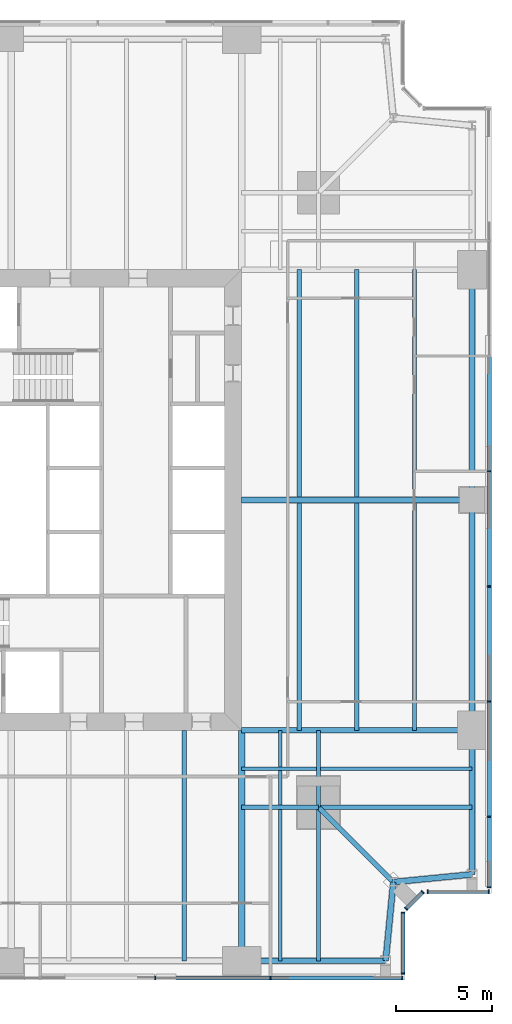
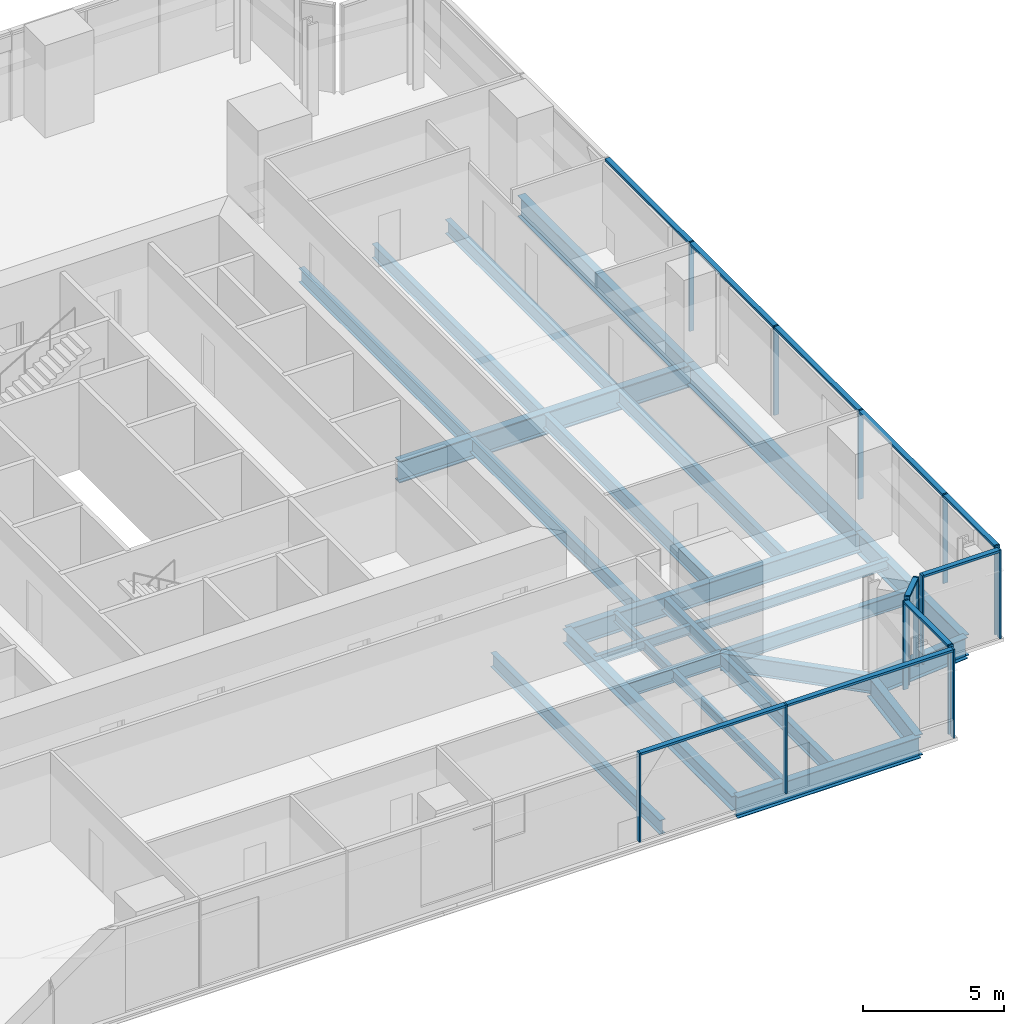
# One storey, part 5 of 14: 26 beams, 24 members, 5 elements without a shape of their own.
"""IFC4 building model written with IfcOpenShell, lengths in metres."""

from ifc_helpers import new_model, si_unit, direction, frame, origin, origin_2d, place, context, subcontext, project, spatial, rectangle, i_section, extrude, material, material_profile, profile_set, type_object, element, aggregate, save


model = new_model("IFC4")

# Units and contexts
model_context = context("Model", 3, precision=1e-05, world=origin(), true_north=direction((0.0, 1.0)))
body_context = subcontext(model_context, "Body", "Model", "MODEL_VIEW")
ifc_project = project(units=[si_unit("LENGTHUNIT", "METRE"), si_unit("AREAUNIT", "SQUARE_METRE"), si_unit("VOLUMEUNIT", "CUBIC_METRE"), si_unit("PLANEANGLEUNIT", "RADIAN"), si_unit("MASSUNIT", "GRAM", prefix="KILO")], contexts=[model_context])

# Site, building, storey
site_placement = place(None, origin())
site = spatial("IfcSite", under=ifc_project, at=site_placement, CompositionType="ELEMENT")
building_placement = place(site_placement, origin())
building = spatial("IfcBuilding", under=site, at=building_placement, Name="Fenwick Lantern Interchange", CompositionType="ELEMENT")
storey_placement = place(building_placement, frame((0.0, 0.0, 150.39990234375)))
storey = spatial("IfcBuildingStorey", under=building, at=storey_placement, Name="L35", CompositionType="ELEMENT", Elevation=150.39990234375)

# Beams
ifc_material_1 = material(Name="Steel ASTM A992 Grade 50", Category="steel")
ifc_material_profile_1 = material_profile(ifc_material_1, i_section(OverallWidth=0.3046875, OverallDepth=0.911865234375, WebThickness=0.015869140625, FlangeThickness=0.02392578125, at=origin_2d()), Name="W36X150")
ifc_profile_set_1 = profile_set([ifc_material_profile_1], Name="Steel ASTM A992 Grade 50")
beam_type_1 = type_object("IfcBeamType", Name="EDGE BEAM W36X150", PredefinedType="SPANDREL", material=ifc_profile_set_1)
beam_1_placement = place(storey_placement, frame((37.0, 1.0, -0.605712890625), z_axis=(1.0, 0.0, 0.0), x_axis=(0.0, 1.0, 0.0)))
element("IfcBeam", 1, at=beam_1_placement, inside=storey, type_object=beam_type_1, Name="L35/FR/S/EB4", PredefinedType="SPANDREL", context=body_context, shape_type="SweptSolid", body=[
    extrude(i_section(OverallWidth=0.3046875, OverallDepth=0.911865234375, WebThickness=0.015869140625, FlangeThickness=0.02392578125, at=origin_2d()), origin(), (0.0, 0.0, 1.0), 7.5),
])
for number, where, z_axis, x_axis, name in (
    (2, (44.5, 1.0, -0.605712890625), (0.097074191287, 0.995277148028, 0.0), (-0.995277148028, 0.097074191287, 0.0), "L35/FR/S/EBR1"),
    (3, (44.89990234375, 5.10009765625, -0.605712890625), (0.995277148028, 0.097074191287, 0.0), (-0.097074191287, 0.995277148028, 0.0), "L35/FR/S/EBR2"),
):
    element("IfcBeam", number, at=place(storey_placement, frame(where, z_axis=z_axis, x_axis=x_axis)), inside=storey, type_object=beam_type_1, Name=name, PredefinedType="SPANDREL", context=body_context, shape_type="SweptSolid", body=[
        extrude(i_section(OverallWidth=0.3046875, OverallDepth=0.911865234375, WebThickness=0.015869140625, FlangeThickness=0.02392578125, at=origin_2d()), origin(), (0.0, 0.0, 1.0), 4.11962890625),
    ])
beam_2_placement = place(storey_placement, frame((49.0, 5.5, -0.605712890625), z_axis=(0.0, 1.0, 0.0), x_axis=(-1.0, 0.0, 0.0)))
element("IfcBeam", 4, at=beam_2_placement, inside=storey, type_object=beam_type_1, Name="L35/FR/E/EB1", PredefinedType="SPANDREL", context=body_context, shape_type="SweptSolid", body=[
    extrude(i_section(OverallWidth=0.3046875, OverallDepth=0.911865234375, WebThickness=0.015869140625, FlangeThickness=0.02392578125, at=origin_2d()), origin(), (0.0, 0.0, 1.0), 7.5),
])
for number, where, z_axis, x_axis, name in (
    (5, (49.0, 13.0, -0.605712890625), (0.0, 1.0, 0.0), (-1.0, 0.0, 0.0), "L35/FR/E/EB2"),
    (6, (49.0, 25.0, -0.605712890625), (0.0, 1.0, 0.0), (-1.0, 0.0, 0.0), "L35/FR/E/EB3"),
):
    element("IfcBeam", number, at=place(storey_placement, frame(where, z_axis=z_axis, x_axis=x_axis)), inside=storey, type_object=beam_type_1, Name=name, PredefinedType="SPANDREL", context=body_context, shape_type="SweptSolid", body=[
        extrude(i_section(OverallWidth=0.3046875, OverallDepth=0.911865234375, WebThickness=0.015869140625, FlangeThickness=0.02392578125, at=origin_2d()), origin(), (0.0, 0.0, 1.0), 12.0),
    ])
ifc_material_profile_2 = material_profile(ifc_material_1, i_section(OverallWidth=0.22900390625, OverallDepth=0.612060546875, WebThickness=0.011962890625, FlangeThickness=0.01953125, at=origin_2d()), Name="W24X84")
ifc_profile_set_2 = profile_set([ifc_material_profile_2], Name="Steel ASTM A992 Grade 50")
beam_type_2 = type_object("IfcBeamType", Name="FLOOR BEAM W24X84", PredefinedType="BEAM", material=ifc_profile_set_2)
beam_3_placement = place(storey_placement, frame((34.0, 1.0, -0.4560546875), z_axis=(0.0, 1.0, 0.0), x_axis=(-1.0, 0.0, 0.0)))
element("IfcBeam", 7, at=beam_3_placement, inside=storey, type_object=beam_type_2, Name="L35/FR/S/R08", PredefinedType="BEAM", context=body_context, shape_type="SweptSolid", body=[
    extrude(i_section(OverallWidth=0.22900390625, OverallDepth=0.612060546875, WebThickness=0.011962890625, FlangeThickness=0.01953125, at=origin_2d()), origin(), (0.0, 0.0, 1.0), 12.0),
])
for number, where, z_axis, x_axis, name in (
    (8, (46.0, 13.0, -0.4560546875), (0.0, 1.0, 0.0), (-1.0, 0.0, 0.0), "L35/FR/E/B01"),
    (9, (43.0, 13.0, -0.4560546875), (0.0, 1.0, 0.0), (-1.0, 0.0, 0.0), "L35/FR/E/B02"),
    (10, (40.0, 13.0, -0.4560546875), (0.0, 1.0, 0.0), (-1.0, 0.0, 0.0), "L35/FR/E/B03"),
    (11, (46.0, 25.155029296875, -0.4560546875), (0.0, 1.0, 0.0), (-1.0, 0.0, 0.0), "L35/FR/E/B04"),
    (12, (43.0, 25.155029296875, -0.4560546875), (0.0, 1.0, 0.0), (-1.0, 0.0, 0.0), "L35/FR/E/B05"),
    (13, (40.0, 25.155029296875, -0.4560546875), (0.0, 1.0, 0.0), (-1.0, 0.0, 0.0), "L35/FR/E/B06"),
):
    element("IfcBeam", number, at=place(storey_placement, frame(where, z_axis=z_axis, x_axis=x_axis)), inside=storey, type_object=beam_type_2, Name=name, PredefinedType="BEAM", context=body_context, shape_type="SweptSolid", body=[
        extrude(i_section(OverallWidth=0.22900390625, OverallDepth=0.612060546875, WebThickness=0.011962890625, FlangeThickness=0.01953125, at=origin_2d()), origin(), (0.0, 0.0, 1.0), 11.844970703125),
    ])
ifc_material_profile_3 = material_profile(ifc_material_1, i_section(OverallWidth=0.177734375, OverallDepth=0.406494140625, WebThickness=0.0078125, FlangeThickness=0.012939453125, at=origin_2d()), Name="W16X40")
ifc_profile_set_3 = profile_set([ifc_material_profile_3], Name="Steel ASTM A992 Grade 50")
beam_type_3 = type_object("IfcBeamType", Name="INFILL BEAM W16X40", PredefinedType="JOIST", material=ifc_profile_set_3)
beam_4_placement = place(storey_placement, frame((49.0, 11.0, -0.35302734375), z_axis=(-1.0, 0.0, 0.0), x_axis=(0.0, -1.0, 0.0)))
element("IfcBeam", 14, at=beam_4_placement, inside=storey, type_object=beam_type_3, Name="L35/FR/E/J1", PredefinedType="JOIST", context=body_context, shape_type="SweptSolid", body=[
    extrude(i_section(OverallWidth=0.177734375, OverallDepth=0.406494140625, WebThickness=0.0078125, FlangeThickness=0.012939453125, at=origin_2d()), origin(), (0.0, 0.0, 1.0), 7.885498046875),
])
beam_5_placement = place(storey_placement, frame((40.885498046875, 11.0, -0.35302734375), z_axis=(-1.0, 0.0, 0.0), x_axis=(0.0, -1.0, 0.0)))
element("IfcBeam", 15, at=beam_5_placement, inside=storey, type_object=beam_type_3, Name="L35/FR/E/J2", PredefinedType="JOIST", context=body_context, shape_type="SweptSolid", body=[
    extrude(i_section(OverallWidth=0.177734375, OverallDepth=0.406494140625, WebThickness=0.0078125, FlangeThickness=0.012939453125, at=origin_2d()), origin(), (0.0, 0.0, 1.0), 3.885498046875),
])
beam_6_placement = place(storey_placement, frame((39.0, 1.0, -0.35302734375), z_axis=(0.0, 1.0, 0.0), x_axis=(-1.0, 0.0, 0.0)))
element("IfcBeam", 16, at=beam_6_placement, inside=storey, type_object=beam_type_3, Name="L35/FR/E/J3", PredefinedType="JOIST", context=body_context, shape_type="SweptSolid", body=[
    extrude(i_section(OverallWidth=0.177734375, OverallDepth=0.406494140625, WebThickness=0.0078125, FlangeThickness=0.012939453125, at=origin_2d()), origin(), (0.0, 0.0, 1.0), 7.885498046875),
])
beam_7_placement = place(storey_placement, frame((39.0, 9.114501953125, -0.35302734375), z_axis=(0.0, 1.0, 0.0), x_axis=(-1.0, 0.0, 0.0)))
element("IfcBeam", 17, at=beam_7_placement, inside=storey, type_object=beam_type_3, Name="L35/FR/E/J4", PredefinedType="JOIST", context=body_context, shape_type="SweptSolid", body=[
    extrude(i_section(OverallWidth=0.177734375, OverallDepth=0.406494140625, WebThickness=0.0078125, FlangeThickness=0.012939453125, at=origin_2d()), origin(), (0.0, 0.0, 1.0), 1.796630859375),
])
beam_8_placement = place(storey_placement, frame((39.0, 11.0888671875, -0.35302734375), z_axis=(0.0, 1.0, 0.0), x_axis=(-1.0, 0.0, 0.0)))
element("IfcBeam", 18, at=beam_8_placement, inside=storey, type_object=beam_type_3, Name="L35/FR/E/J5", PredefinedType="JOIST", context=body_context, shape_type="SweptSolid", body=[
    extrude(i_section(OverallWidth=0.177734375, OverallDepth=0.406494140625, WebThickness=0.0078125, FlangeThickness=0.012939453125, at=origin_2d()), origin(), (0.0, 0.0, 1.0), 1.9111328125),
])
ifc_material_profile_4 = material_profile(ifc_material_1, i_section(OverallWidth=0.22900390625, OverallDepth=0.612060546875, WebThickness=0.011962890625, FlangeThickness=0.01953125, at=origin_2d()), Name="W24X84")
ifc_profile_set_4 = profile_set([ifc_material_profile_4], Name="Steel ASTM A992 Grade 50")
beam_type_4 = type_object("IfcBeamType", Name="MEGA COLUMN BEAM W24X84", PredefinedType="BEAM", material=ifc_profile_set_4)
for number, where, z_axis, x_axis, name in (
    (19, (41.0, 9.0, -0.4560546875), (1.0, 0.0, 0.0), (0.0, 1.0, 0.0), "L35/FR/E/MB1"),
    (20, (41.0, 9.0, -0.4560546875), (0.0, -1.0, 0.0), (1.0, 0.0, 0.0), "L35/FR/E/MB2"),
):
    element("IfcBeam", number, at=place(storey_placement, frame(where, z_axis=z_axis, x_axis=x_axis)), inside=storey, type_object=beam_type_4, Name=name, PredefinedType="BEAM", context=body_context, shape_type="SweptSolid", body=[
        extrude(i_section(OverallWidth=0.22900390625, OverallDepth=0.612060546875, WebThickness=0.011962890625, FlangeThickness=0.01953125, at=origin_2d()), origin(), (0.0, 0.0, 1.0), 8.0),
    ])
for number, where, z_axis, x_axis, name in (
    (21, (41.0, 9.0, -0.4560546875), (0.0, 1.0, 0.0), (-1.0, 0.0, 0.0), "L35/FR/E/MB3"),
    (22, (41.0, 9.0, -0.4560546875), (-1.0, 0.0, 0.0), (0.0, -1.0, 0.0), "L35/FR/E/MB4"),
):
    element("IfcBeam", number, at=place(storey_placement, frame(where, z_axis=z_axis, x_axis=x_axis)), inside=storey, type_object=beam_type_4, Name=name, PredefinedType="BEAM", context=body_context, shape_type="SweptSolid", body=[
        extrude(i_section(OverallWidth=0.22900390625, OverallDepth=0.612060546875, WebThickness=0.011962890625, FlangeThickness=0.01953125, at=origin_2d()), origin(), (0.0, 0.0, 1.0), 4.0),
    ])
ifc_material_profile_5 = material_profile(ifc_material_1, i_section(OverallWidth=0.32763671875, OverallDepth=0.622314453125, WebThickness=0.015380859375, FlangeThickness=0.0244140625, at=origin_2d()), Name="W24X131")
ifc_profile_set_5 = profile_set([ifc_material_profile_5], Name="Steel ASTM A992 Grade 50")
beam_type_5 = type_object("IfcBeamType", Name="MOMENT-CONNECTED GIRDER W24X131", PredefinedType="BEAM", material=ifc_profile_set_5)
beam_9_placement = place(storey_placement, frame((37.0, 1.0, -0.4609375), z_axis=(0.0, 1.0, 0.0), x_axis=(-1.0, 0.0, 0.0)))
element("IfcBeam", 23, at=beam_9_placement, inside=storey, type_object=beam_type_5, Name="L35/FR/S/R09", PredefinedType="BEAM", context=body_context, shape_type="SweptSolid", body=[
    extrude(i_section(OverallWidth=0.32763671875, OverallDepth=0.622314453125, WebThickness=0.015380859375, FlangeThickness=0.0244140625, at=origin_2d()), origin(), (0.0, 0.0, 1.0), 12.0),
])
ifc_material_profile_6 = material_profile(ifc_material_1, i_section(OverallWidth=0.2919921875, OverallDepth=0.845703125, WebThickness=0.015380859375, FlangeThickness=0.0244140625, at=origin_2d()), Name="W33X141")
ifc_profile_set_6 = profile_set([ifc_material_profile_6], Name="Steel ASTM A992 Grade 50")
beam_type_6 = type_object("IfcBeamType", Name="MOMENT-CONNECTED GIRDER W33X141", PredefinedType="BEAM", material=ifc_profile_set_6)
beam_10_placement = place(storey_placement, frame((49.0, 13.0, -0.57275390625), z_axis=(-1.0, 0.0, 0.0), x_axis=(0.0, -1.0, 0.0)))
element("IfcBeam", 24, at=beam_10_placement, inside=storey, type_object=beam_type_6, Name="L35/FR/E/R01", PredefinedType="BEAM", context=body_context, shape_type="SweptSolid", body=[
    extrude(i_section(OverallWidth=0.2919921875, OverallDepth=0.845703125, WebThickness=0.015380859375, FlangeThickness=0.0244140625, at=origin_2d()), origin(), (0.0, 0.0, 1.0), 12.0),
])
ifc_material_profile_7 = material_profile(ifc_material_1, i_section(OverallWidth=0.309814453125, OverallDepth=0.949951171875, WebThickness=0.0244140625, FlangeThickness=0.0439453125, at=origin_2d()), Name="W36X256")
ifc_profile_set_7 = profile_set([ifc_material_profile_7], Name="Steel ASTM A992 Grade 50")
beam_type_7 = type_object("IfcBeamType", Name="MOMENT-CONNECTED GIRDER W36X256", PredefinedType="BEAM", material=ifc_profile_set_7)
beam_11_placement = place(storey_placement, frame((49.0, 25.0, -0.625), z_axis=(-1.0, 0.0, 0.0), x_axis=(0.0, -1.0, 0.0)))
element("IfcBeam", 25, at=beam_11_placement, inside=storey, type_object=beam_type_7, Name="L35/FR/E/R02", PredefinedType="BEAM", context=body_context, shape_type="SweptSolid", body=[
    extrude(i_section(OverallWidth=0.309814453125, OverallDepth=0.949951171875, WebThickness=0.0244140625, FlangeThickness=0.0439453125, at=origin_2d()), origin(), (0.0, 0.0, 1.0), 12.0),
])
ifc_material_profile_8 = material_profile(ifc_material_1, i_section(OverallWidth=0.2666015625, OverallDepth=0.7568359375, WebThickness=0.013916015625, FlangeThickness=0.019287109375, at=origin_2d()), Name="W30X108")
ifc_profile_set_8 = profile_set([ifc_material_profile_8], Name="Steel ASTM A992 Grade 50")
beam_type_8 = type_object("IfcBeamType", Name="NOTCH BEAM W30X108", PredefinedType="BEAM", material=ifc_profile_set_8)
beam_12_placement = place(storey_placement, frame((41.0, 9.0, -0.5283203125), z_axis=(0.707106781187, -0.707106781187, 0.0), x_axis=(0.707106781187, 0.707106781187, 0.0)))
element("IfcBeam", 26, at=beam_12_placement, inside=storey, type_object=beam_type_8, Name="L35/FR/E/TG", PredefinedType="BEAM", context=body_context, shape_type="SweptSolid", body=[
    extrude(i_section(OverallWidth=0.2666015625, OverallDepth=0.7568359375, WebThickness=0.013916015625, FlangeThickness=0.019287109375, at=origin_2d()), origin(), (0.0, 0.0, 1.0), 5.515380859375),
])

# Curtain wall, members
ifc_material_2 = material(Name="Aluminium curtain wall frame", Category="aluminium")
curtain_wall_type = type_object("IfcCurtainWallType", Name="OFFICE CURTAIN WALL", PredefinedType="USERDEFINED", material=ifc_material_2)
curtain_wall_1_placement = place(storey_placement, origin())
curtain_wall_1 = element("IfcCurtainWall", 27, at=curtain_wall_1_placement, inside=storey, type_object=curtain_wall_type, Name="Office curtain wall 01", ObjectType="OFFICE CURTAIN WALL", PredefinedType="USERDEFINED")
ifc_material_3 = material(Name="Aluminium extrusion", Category="aluminium")
ifc_material_profile_9 = material_profile(ifc_material_3, rectangle(XDim=0.199951171875, YDim=0.06494140625, at=origin_2d()), Name="OFFICE CURTAIN WALL MULLION 65 X 200")
ifc_profile_set_9 = profile_set([ifc_material_profile_9], Name="Aluminium extrusion")
member_type_1 = type_object("IfcMemberType", Name="OFFICE CURTAIN WALL MULLION 65 X 200", PredefinedType="MULLION", material=ifc_profile_set_9)
member_1_placement = place(storey_placement, frame((32.5, 0.10009765625, 0.0), z_axis=(0.0, 0.0, 1.0), x_axis=(0.0, 1.0, 0.0)))
member_1 = element("IfcMember", 28, at=member_1_placement, type_object=member_type_1, Name="L35/CW/01/M05", PredefinedType="MULLION", context=body_context, shape_type="SweptSolid", body=[
    extrude(rectangle(XDim=0.199951171875, YDim=0.06494140625, at=origin_2d()), origin(), (0.0, 0.0, 1.0), 3.85009765625),
])
member_2_placement = place(storey_placement, frame((38.5, 0.10009765625, 0.0), z_axis=(0.0, 0.0, 1.0), x_axis=(0.0, 1.0, 0.0)))
member_2 = element("IfcMember", 29, at=member_2_placement, type_object=member_type_1, Name="L35/CW/01/M06", PredefinedType="MULLION", context=body_context, shape_type="SweptSolid", body=[
    extrude(rectangle(XDim=0.199951171875, YDim=0.06494140625, at=origin_2d()), origin(), (0.0, 0.0, 1.0), 3.85009765625),
])
member_3_placement = place(storey_placement, frame((45.367431640625, 0.10009765625, 0.0), z_axis=(0.0, 0.0, 1.0), x_axis=(0.0, 1.0, 0.0)))
member_3 = element("IfcMember", 30, at=member_3_placement, type_object=member_type_1, Name="L35/CW/01/M07", PredefinedType="MULLION", context=body_context, shape_type="SweptSolid", body=[
    extrude(rectangle(XDim=0.199951171875, YDim=0.06494140625, at=origin_2d()), origin(), (0.0, 0.0, 1.0), 3.85009765625),
])

curtain_wall_2_placement = place(storey_placement, origin())
curtain_wall_2 = element("IfcCurtainWall", 31, at=curtain_wall_2_placement, inside=storey, type_object=curtain_wall_type, Name="Office curtain wall 02", ObjectType="OFFICE CURTAIN WALL", PredefinedType="USERDEFINED")
member_4_placement = place(storey_placement, frame((45.39990234375, 0.33251953125, 0.0), z_axis=(0.0, 0.0, 1.0), x_axis=(-1.0, 0.0, 0.0)))
member_4 = element("IfcMember", 32, at=member_4_placement, type_object=member_type_1, Name="L35/CW/02/M00", PredefinedType="MULLION", context=body_context, shape_type="SweptSolid", body=[
    extrude(rectangle(XDim=0.199951171875, YDim=0.06494140625, at=origin_2d()), origin(), (0.0, 0.0, 1.0), 3.85009765625),
])
member_5_placement = place(storey_placement, frame((45.39990234375, 3.509033203125, 0.0), z_axis=(0.0, 0.0, 1.0), x_axis=(-1.0, 0.0, 0.0)))
member_5 = element("IfcMember", 33, at=member_5_placement, type_object=member_type_1, Name="L35/CW/02/M01", PredefinedType="MULLION", context=body_context, shape_type="SweptSolid", body=[
    extrude(rectangle(XDim=0.199951171875, YDim=0.06494140625, at=origin_2d()), origin(), (0.0, 0.0, 1.0), 3.85009765625),
])

curtain_wall_3_placement = place(storey_placement, origin())
curtain_wall_3 = element("IfcCurtainWall", 34, at=curtain_wall_3_placement, inside=storey, type_object=curtain_wall_type, Name="Office curtain wall 03", ObjectType="OFFICE CURTAIN WALL", PredefinedType="USERDEFINED")
member_6_placement = place(storey_placement, frame((45.564453125, 3.705810546875, 0.0), z_axis=(0.0, 0.0, 1.0), x_axis=(-0.707106781187, 0.707106781187, 0.0)))
member_6 = element("IfcMember", 35, at=member_6_placement, type_object=member_type_1, Name="L35/CW/03/M00", PredefinedType="MULLION", context=body_context, shape_type="SweptSolid", body=[
    extrude(rectangle(XDim=0.199951171875, YDim=0.06494140625, at=origin_2d()), origin(), (0.0, 0.0, 1.0), 3.85009765625),
])
member_7_placement = place(storey_placement, frame((46.435546875, 4.576904296875, 0.0), z_axis=(0.0, 0.0, 1.0), x_axis=(-0.707106781187, 0.707106781187, 0.0)))
member_7 = element("IfcMember", 36, at=member_7_placement, type_object=member_type_1, Name="L35/CW/03/M01", PredefinedType="MULLION", context=body_context, shape_type="SweptSolid", body=[
    extrude(rectangle(XDim=0.199951171875, YDim=0.06494140625, at=origin_2d()), origin(), (0.0, 0.0, 1.0), 3.85009765625),
])

curtain_wall_4_placement = place(storey_placement, origin())
curtain_wall_4 = element("IfcCurtainWall", 37, at=curtain_wall_4_placement, inside=storey, type_object=curtain_wall_type, Name="Office curtain wall 04", ObjectType="OFFICE CURTAIN WALL", PredefinedType="USERDEFINED")
member_8_placement = place(storey_placement, frame((46.691162109375, 4.60009765625, 0.0), z_axis=(0.0, 0.0, 1.0), x_axis=(0.0, 1.0, 0.0)))
member_8 = element("IfcMember", 38, at=member_8_placement, type_object=member_type_1, Name="L35/CW/04/M00", PredefinedType="MULLION", context=body_context, shape_type="SweptSolid", body=[
    extrude(rectangle(XDim=0.199951171875, YDim=0.06494140625, at=origin_2d()), origin(), (0.0, 0.0, 1.0), 3.85009765625),
])
member_9_placement = place(storey_placement, frame((49.867431640625, 4.60009765625, 0.0), z_axis=(0.0, 0.0, 1.0), x_axis=(0.0, 1.0, 0.0)))
member_9 = element("IfcMember", 39, at=member_9_placement, type_object=member_type_1, Name="L35/CW/04/M01", PredefinedType="MULLION", context=body_context, shape_type="SweptSolid", body=[
    extrude(rectangle(XDim=0.199951171875, YDim=0.06494140625, at=origin_2d()), origin(), (0.0, 0.0, 1.0), 3.85009765625),
])

curtain_wall_5_placement = place(storey_placement, origin())
curtain_wall_5 = element("IfcCurtainWall", 40, at=curtain_wall_5_placement, inside=storey, type_object=curtain_wall_type, Name="Office curtain wall 05", ObjectType="OFFICE CURTAIN WALL", PredefinedType="USERDEFINED")
member_10_placement = place(storey_placement, frame((49.89990234375, 4.83251953125, 0.0), z_axis=(0.0, 0.0, 1.0), x_axis=(-1.0, 0.0, 0.0)))
member_10 = element("IfcMember", 41, at=member_10_placement, type_object=member_type_1, Name="L35/CW/05/M00", PredefinedType="MULLION", context=body_context, shape_type="SweptSolid", body=[
    extrude(rectangle(XDim=0.199951171875, YDim=0.06494140625, at=origin_2d()), origin(), (0.0, 0.0, 1.0), 3.85009765625),
])
member_11_placement = place(storey_placement, frame((49.89990234375, 8.5, 0.0), z_axis=(0.0, 0.0, 1.0), x_axis=(-1.0, 0.0, 0.0)))
member_11 = element("IfcMember", 42, at=member_11_placement, type_object=member_type_1, Name="L35/CW/05/M01", PredefinedType="MULLION", context=body_context, shape_type="SweptSolid", body=[
    extrude(rectangle(XDim=0.199951171875, YDim=0.06494140625, at=origin_2d()), origin(), (0.0, 0.0, 1.0), 3.85009765625),
])
member_12_placement = place(storey_placement, frame((49.89990234375, 14.5, 0.0), z_axis=(0.0, 0.0, 1.0), x_axis=(-1.0, 0.0, 0.0)))
member_12 = element("IfcMember", 43, at=member_12_placement, type_object=member_type_1, Name="L35/CW/05/M02", PredefinedType="MULLION", context=body_context, shape_type="SweptSolid", body=[
    extrude(rectangle(XDim=0.199951171875, YDim=0.06494140625, at=origin_2d()), origin(), (0.0, 0.0, 1.0), 3.85009765625),
])
member_13_placement = place(storey_placement, frame((49.89990234375, 20.5, 0.0), z_axis=(0.0, 0.0, 1.0), x_axis=(-1.0, 0.0, 0.0)))
member_13 = element("IfcMember", 44, at=member_13_placement, type_object=member_type_1, Name="L35/CW/05/M03", PredefinedType="MULLION", context=body_context, shape_type="SweptSolid", body=[
    extrude(rectangle(XDim=0.199951171875, YDim=0.06494140625, at=origin_2d()), origin(), (0.0, 0.0, 1.0), 3.85009765625),
])
member_14_placement = place(storey_placement, frame((49.89990234375, 26.5, 0.0), z_axis=(0.0, 0.0, 1.0), x_axis=(-1.0, 0.0, 0.0)))
member_14 = element("IfcMember", 45, at=member_14_placement, type_object=member_type_1, Name="L35/CW/05/M04", PredefinedType="MULLION", context=body_context, shape_type="SweptSolid", body=[
    extrude(rectangle(XDim=0.199951171875, YDim=0.06494140625, at=origin_2d()), origin(), (0.0, 0.0, 1.0), 3.85009765625),
])

# Member
ifc_material_profile_10 = material_profile(ifc_material_3, rectangle(XDim=0.199951171875, YDim=0.10009765625, at=origin_2d()), Name="OFFICE CURTAIN WALL TRANSOM 100 X 200")
ifc_profile_set_10 = profile_set([ifc_material_profile_10], Name="Aluminium extrusion")
member_type_2 = type_object("IfcMemberType", Name="OFFICE CURTAIN WALL TRANSOM 100 X 200", PredefinedType="MULLION", material=ifc_profile_set_10)
member_15_placement = place(storey_placement, frame((32.532470703125, 0.10009765625, 3.800048828125), z_axis=(1.0, 0.0, 0.0), x_axis=(0.0, 1.0, 0.0)))
member_15 = element("IfcMember", 46, at=member_15_placement, type_object=member_type_2, Name="L35/CW/01/T05", PredefinedType="MULLION", context=body_context, shape_type="SweptSolid", body=[
    extrude(rectangle(XDim=0.199951171875, YDim=0.10009765625, at=origin_2d()), origin(), (0.0, 0.0, 1.0), 5.93505859375),
])

member_16_placement = place(storey_placement, frame((38.532470703125, 0.10009765625, 3.800048828125), z_axis=(1.0, 0.0, 0.0), x_axis=(0.0, 1.0, 0.0)))
member_16 = element("IfcMember", 47, at=member_16_placement, type_object=member_type_2, Name="L35/CW/01/T06", PredefinedType="MULLION", context=body_context, shape_type="SweptSolid", body=[
    extrude(rectangle(XDim=0.199951171875, YDim=0.10009765625, at=origin_2d()), origin(), (0.0, 0.0, 1.0), 6.802490234375),
])

aggregate(curtain_wall_1, [member_1, member_2, member_3, member_15, member_16])

member_17_placement = place(storey_placement, frame((45.39990234375, 0.364990234375, 3.800048828125), z_axis=(0.0, 1.0, 0.0), x_axis=(-1.0, 0.0, 0.0)))
member_17 = element("IfcMember", 48, at=member_17_placement, type_object=member_type_2, Name="L35/CW/02/T00", PredefinedType="MULLION", context=body_context, shape_type="SweptSolid", body=[
    extrude(rectangle(XDim=0.199951171875, YDim=0.10009765625, at=origin_2d()), origin(), (0.0, 0.0, 1.0), 3.111328125),
])

aggregate(curtain_wall_2, [member_4, member_5, member_17])

member_18_placement = place(storey_placement, frame((45.58740234375, 3.728759765625, 3.800048828125), z_axis=(0.707106781187, 0.707106781187, 0.0), x_axis=(-0.707106781187, 0.707106781187, 0.0)))
member_18 = element("IfcMember", 49, at=member_18_placement, type_object=member_type_2, Name="L35/CW/03/T00", PredefinedType="MULLION", context=body_context, shape_type="SweptSolid", body=[
    extrude(rectangle(XDim=0.199951171875, YDim=0.10009765625, at=origin_2d()), origin(), (0.0, 0.0, 1.0), 1.1669921875),
])

aggregate(curtain_wall_3, [member_6, member_7, member_18])

member_19_placement = place(storey_placement, frame((46.7236328125, 4.60009765625, 3.800048828125), z_axis=(1.0, 0.0, 0.0), x_axis=(0.0, 1.0, 0.0)))
member_19 = element("IfcMember", 50, at=member_19_placement, type_object=member_type_2, Name="L35/CW/04/T00", PredefinedType="MULLION", context=body_context, shape_type="SweptSolid", body=[
    extrude(rectangle(XDim=0.199951171875, YDim=0.10009765625, at=origin_2d()), origin(), (0.0, 0.0, 1.0), 3.111328125),
])

aggregate(curtain_wall_4, [member_8, member_9, member_19])

member_20_placement = place(storey_placement, frame((49.89990234375, 4.864990234375, 3.800048828125), z_axis=(0.0, 1.0, 0.0), x_axis=(-1.0, 0.0, 0.0)))
member_20 = element("IfcMember", 51, at=member_20_placement, type_object=member_type_2, Name="L35/CW/05/T00", PredefinedType="MULLION", context=body_context, shape_type="SweptSolid", body=[
    extrude(rectangle(XDim=0.199951171875, YDim=0.10009765625, at=origin_2d()), origin(), (0.0, 0.0, 1.0), 3.6025390625),
])

member_21_placement = place(storey_placement, frame((49.89990234375, 8.532470703125, 3.800048828125), z_axis=(0.0, 1.0, 0.0), x_axis=(-1.0, 0.0, 0.0)))
member_21 = element("IfcMember", 52, at=member_21_placement, type_object=member_type_2, Name="L35/CW/05/T01", PredefinedType="MULLION", context=body_context, shape_type="SweptSolid", body=[
    extrude(rectangle(XDim=0.199951171875, YDim=0.10009765625, at=origin_2d()), origin(), (0.0, 0.0, 1.0), 5.93505859375),
])

member_22_placement = place(storey_placement, frame((49.89990234375, 14.532470703125, 3.800048828125), z_axis=(0.0, 1.0, 0.0), x_axis=(-1.0, 0.0, 0.0)))
member_22 = element("IfcMember", 53, at=member_22_placement, type_object=member_type_2, Name="L35/CW/05/T02", PredefinedType="MULLION", context=body_context, shape_type="SweptSolid", body=[
    extrude(rectangle(XDim=0.199951171875, YDim=0.10009765625, at=origin_2d()), origin(), (0.0, 0.0, 1.0), 5.93505859375),
])

member_23_placement = place(storey_placement, frame((49.89990234375, 20.532470703125, 3.800048828125), z_axis=(0.0, 1.0, 0.0), x_axis=(-1.0, 0.0, 0.0)))
member_23 = element("IfcMember", 54, at=member_23_placement, type_object=member_type_2, Name="L35/CW/05/T03", PredefinedType="MULLION", context=body_context, shape_type="SweptSolid", body=[
    extrude(rectangle(XDim=0.199951171875, YDim=0.10009765625, at=origin_2d()), origin(), (0.0, 0.0, 1.0), 5.93505859375),
])

member_24_placement = place(storey_placement, frame((49.89990234375, 26.532470703125, 3.800048828125), z_axis=(0.0, 1.0, 0.0), x_axis=(-1.0, 0.0, 0.0)))
member_24 = element("IfcMember", 55, at=member_24_placement, type_object=member_type_2, Name="L35/CW/05/T04", PredefinedType="MULLION", context=body_context, shape_type="SweptSolid", body=[
    extrude(rectangle(XDim=0.199951171875, YDim=0.10009765625, at=origin_2d()), origin(), (0.0, 0.0, 1.0), 5.93505859375),
])

aggregate(curtain_wall_5, [member_10, member_11, member_12, member_13, member_14, member_20, member_21, member_22, member_23, member_24])

save(model, "model.ifc")
